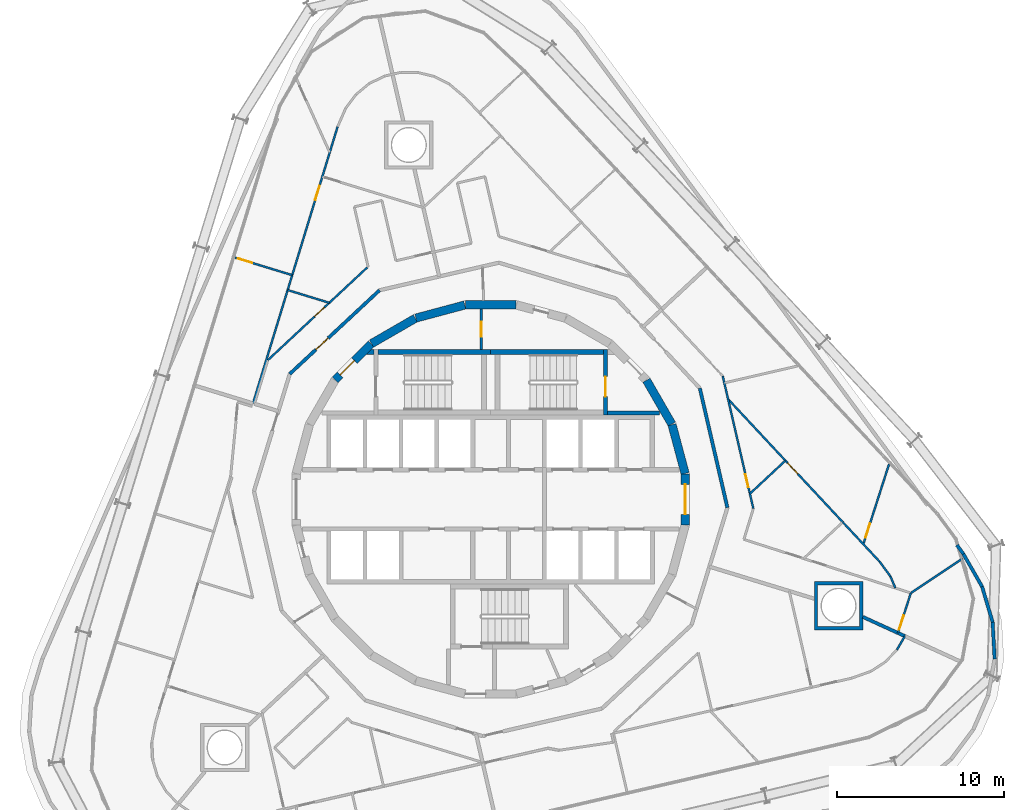
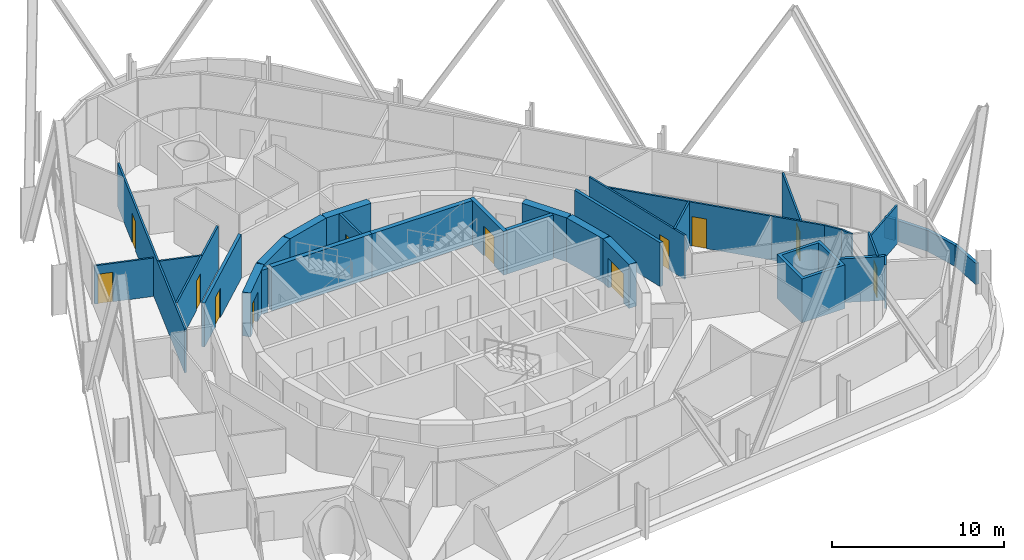
# One storey, part 15 of 18: 35 walls, 12 doors, 12 openings.
"""IFC4 building model written with IfcOpenShell, lengths in metres."""

from ifc_helpers import new_model, si_unit, direction, frame, frame_2d, origin, place, context, subcontext, project, spatial, polyline, rectangle, outline, extrude, material, layer, layer_set, type_object, element, fill, save


model = new_model("IFC4")

# Units and contexts
model_context = context("Model", 3, precision=1e-05, world=origin(), true_north=direction((0.0, 1.0)))
body_context = subcontext(model_context, "Body", "Model", "MODEL_VIEW")
ifc_project = project(units=[si_unit("LENGTHUNIT", "METRE"), si_unit("AREAUNIT", "SQUARE_METRE"), si_unit("VOLUMEUNIT", "CUBIC_METRE"), si_unit("PLANEANGLEUNIT", "RADIAN"), si_unit("MASSUNIT", "GRAM", prefix="KILO")], contexts=[model_context])

# Site, building, storey
site_placement = place(None, origin())
site = spatial("IfcSite", under=ifc_project, at=site_placement, CompositionType="ELEMENT")
building_placement = place(site_placement, origin())
building = spatial("IfcBuilding", under=site, at=building_placement, Name="Spindle Arch Residences", CompositionType="ELEMENT")
storey_placement = place(building_placement, frame((0.0, 0.0, 113.39990234375)))
storey = spatial("IfcBuildingStorey", under=building, at=storey_placement, Name="L27", CompositionType="ELEMENT", Elevation=113.39990234375)

# Wall, opening, door
ifc_material_1 = material(Name="Concrete C50/60", Category="concrete")
ifc_layer_1 = layer(ifc_material_1, 0.5)
ifc_layer_set_1 = layer_set([ifc_layer_1], Name="Core outline wall 500")
wall_type_1 = type_object("IfcWallType", Name="Core outline wall 500", PredefinedType="SHEAR", material=ifc_layer_set_1)
wall_1_placement = place(storey_placement, frame((11.647216796875, -1.516357421875, 0.0), z_axis=(0.0, 0.0, 1.0), x_axis=(0.0, 1.0, 0.0)))
wall_1 = element("IfcWall", 1, at=wall_1_placement, inside=storey, type_object=wall_type_1, Name="Core outline wall 6", PredefinedType="SHEAR", context=body_context, shape_type="SweptSolid", body=[
    extrude(rectangle(XDim=3.03271484375, YDim=0.5, at=frame_2d((1.516357421875, 0.0))), origin(), (0.0, 0.0, 1.0), 3.1201171875),
])
opening_1_placement = place(wall_1_placement, frame((0.6162109375, 0.0, 0.0)))
opening_1 = element("IfcOpeningElement", 2, at=opening_1_placement, cuts=wall_1, Name="Opening R3A0-FE01", PredefinedType="OPENING", context=body_context, shape_type="SweptSolid", body=[
    extrude(rectangle(XDim=1.800048828125, YDim=2.10009765625, at=frame_2d((0.89990234375, 1.050048828125))), frame((0.0, 0.260009765625, 0.0), z_axis=(0.0, -1.0, 0.0), x_axis=(1.0, 0.0, 0.0)), (0.0, 0.0, 1.0), 0.52001953125),
])
ifc_material_2 = material(Name="Steel, fire-resisting door", Category="steel")
door_type_1 = type_object("IfcDoorType", Name="Fire-lift lobby door 1800x2100", OperationType="DOUBLE_DOOR_SINGLE_SWING", PredefinedType="DOOR", material=ifc_material_2)
door_1_placement = place(opening_1_placement, origin())
door_1 = element("IfcDoor", 3, at=door_1_placement, inside=storey, type_object=door_type_1, Name="Fire-lift lobby door R3A0-FE01", OperationType="DOUBLE_DOOR_SINGLE_SWING", OverallHeight=2.10009765625, OverallWidth=1.800048828125, PredefinedType="DOOR", context=body_context, shape_type="SweptSolid", body=[
    extrude(rectangle(XDim=1.800048828125, YDim=2.10009765625, at=frame_2d((0.89990234375, 1.050048828125))), frame((0.0, 0.02490234375, 0.0), z_axis=(0.0, -1.0, 0.0), x_axis=(1.0, 0.0, 0.0)), (0.0, 0.0, 1.0), 0.050048828125),
])
fill(opening_1, door_1)

# Walls
for number, where, z_axis, x_axis, name in (
    (4, (11.642822265625, 1.5498046875, 0.0), (0.0, 0.0, 1.0), (-0.258734743916, 0.965948410781, 0.0), "Core outline wall 7"),
    (5, (10.84521484375, 4.510498046875, 0.0), (0.0, 0.0, 1.0), (-0.500087131594, 0.865975092491, 0.0), "Core outline wall 8"),
    (6, (1.516357421875, 11.647216796875, 0.0), (0.0, 0.0, 1.0), (-1.0, 0.0, 0.0), "Core outline wall 12"),
    (7, (-1.5498046875, 11.642822265625, 0.0), (0.0, 0.0, 1.0), (-0.965948410781, -0.258734743916, 0.0), "Core outline wall 13"),
    (8, (-4.510498046875, 10.84521484375, 0.0), (0.0, 0.0, 1.0), (-0.865975092491, -0.500087131594, 0.0), "Core outline wall 14"),
):
    element("IfcWall", number, at=place(storey_placement, frame(where, z_axis=z_axis, x_axis=x_axis)), inside=storey, type_object=wall_type_1, Name=name, PredefinedType="SHEAR", context=body_context, shape_type="SweptSolid", body=[
        extrude(rectangle(XDim=3.03271484375, YDim=0.5, at=frame_2d((1.516357421875, 0.0))), origin(), (0.0, 0.0, 1.0), 3.1201171875),
    ])

# Wall, opening, door
wall_2_placement = place(storey_placement, frame((-7.163818359375, 9.30810546875, 0.0), z_axis=(0.0, 0.0, 1.0), x_axis=(-0.707106781187, -0.707106781187, 0.0)))
wall_2 = element("IfcWall", 9, at=wall_2_placement, inside=storey, type_object=wall_type_1, Name="Core outline wall 15", PredefinedType="SHEAR", context=body_context, shape_type="SweptSolid", body=[
    extrude(rectangle(XDim=3.032470703125, YDim=0.5, at=frame_2d((1.51611328125, 0.0))), origin(), (0.0, 0.0, 1.0), 3.1201171875),
])
opening_2_placement = place(wall_2_placement, frame((1.416259765625, 0.0, 0.0)))
opening_2 = element("IfcOpeningElement", 10, at=opening_2_placement, cuts=wall_2, Name="Opening R3A0-AD02", PredefinedType="OPENING", context=body_context, shape_type="SweptSolid", body=[
    extrude(rectangle(XDim=1.199951171875, YDim=2.10009765625, at=frame_2d((0.60009765625, 1.050048828125))), frame((0.0, 0.260009765625, 0.0), z_axis=(0.0, -1.0, 0.0), x_axis=(1.0, 0.0, 0.0)), (0.0, 0.0, 1.0), 0.52001953125),
])
ifc_material_3 = material(Name="Steel, fire-resisting door", Category="steel")
door_type_2 = type_object("IfcDoorType", Name="Stair airlock door 1200x2100", OperationType="SINGLE_SWING_LEFT", PredefinedType="DOOR", material=ifc_material_3)
door_2_placement = place(opening_2_placement, origin())
door_2 = element("IfcDoor", 11, at=door_2_placement, inside=storey, type_object=door_type_2, Name="Stair airlock door R3A0-AD02", OperationType="SINGLE_SWING_RIGHT", OverallHeight=2.10009765625, OverallWidth=1.199951171875, PredefinedType="DOOR", context=body_context, shape_type="SweptSolid", body=[
    extrude(rectangle(XDim=1.199951171875, YDim=2.10009765625, at=frame_2d((0.60009765625, 1.050048828125))), frame((0.0, 0.02490234375, 0.0), z_axis=(0.0, -1.0, 0.0), x_axis=(1.0, 0.0, 0.0)), (0.0, 0.0, 1.0), 0.050048828125),
])
fill(opening_2, door_2)

# Wall
ifc_material_4 = material(Name="Calcium silicate block, plastered")
ifc_layer_2 = layer(ifc_material_4, 0.199951171875)
ifc_layer_set_2 = layer_set([ifc_layer_2], Name="Corridor wall 200")
wall_type_2 = type_object("IfcWallType", Name="Corridor wall 200", PredefinedType="STANDARD", material=ifc_layer_set_2)
wall_3_placement = place(storey_placement, frame((14.174560546875, -0.4951171875, 0.0), z_axis=(0.0, 0.0, 1.0), x_axis=(-0.224922649383, 0.974376622151, 0.0)))
element("IfcWall", 12, at=wall_3_placement, inside=storey, type_object=wall_type_2, Name="Corridor wall R3A0-W005", PredefinedType="STANDARD", context=body_context, shape_type="SweptSolid", body=[
    extrude(rectangle(XDim=7.342041015625, YDim=0.199951171875, at=frame_2d((3.6708984375, 0.0))), origin(), (0.0, 0.0, 1.0), 3.1201171875),
])

# Wall, opening, door
wall_4_placement = place(storey_placement, frame((-6.65869140625, 12.523193359375, 0.0), z_axis=(0.0, 0.0, 1.0), x_axis=(-0.731350455479, -0.682001841105, 0.0)))
wall_4 = element("IfcWall", 13, at=wall_4_placement, inside=storey, type_object=wall_type_2, Name="Corridor wall R3A0-W009", PredefinedType="STANDARD", context=body_context, shape_type="SweptSolid", body=[
    extrude(rectangle(XDim=7.341796875, YDim=0.199951171875, at=frame_2d((3.6708984375, 0.0))), origin(), (0.0, 0.0, 1.0), 3.1201171875),
])
opening_3_placement = place(wall_4_placement, frame((4.199951171875, 0.0, 0.0)))
opening_3 = element("IfcOpeningElement", 14, at=opening_3_placement, cuts=wall_4, Name="Opening R3A0-FD03", PredefinedType="OPENING", context=body_context, shape_type="SweptSolid", body=[
    extrude(rectangle(XDim=1.0, YDim=2.10009765625, at=frame_2d((0.5, 1.050048828125))), frame((0.0, 0.10986328125, 0.0), z_axis=(0.0, -1.0, 0.0), x_axis=(1.0, 0.0, 0.0)), (0.0, 0.0, 1.0), 0.219970703125),
])
ifc_material_5 = material(Name="Timber, fire-resisting door set", Category="wood")
door_type_3 = type_object("IfcDoorType", Name="Flat entrance door 1000x2100", OperationType="NOTDEFINED", PredefinedType="DOOR", material=ifc_material_5)
door_3_placement = place(opening_3_placement, origin())
door_3 = element("IfcDoor", 15, at=door_3_placement, inside=storey, type_object=door_type_3, Name="Flat entrance door R3A0-FD03", OperationType="SINGLE_SWING_LEFT", OverallHeight=2.10009765625, OverallWidth=1.0, PredefinedType="DOOR", context=body_context, shape_type="SweptSolid", body=[
    extrude(rectangle(XDim=1.0, YDim=2.10009765625, at=frame_2d((0.5, 1.050048828125))), frame((0.0, 0.02490234375, 0.0), z_axis=(0.0, -1.0, 0.0), x_axis=(1.0, 0.0, 0.0)), (0.0, 0.0, 1.0), 0.050048828125),
])
fill(opening_3, door_3)

ifc_material_6 = material(Name="Plasterboard on steel studs", Category="steel")
ifc_layer_3 = layer(ifc_material_6, 0.1201171875)
ifc_layer_set_3 = layer_set([ifc_layer_3], Name="Flat partition 120")
wall_type_3 = type_object("IfcWallType", Name="Flat partition 120", PredefinedType="PARTITIONING", material=ifc_layer_set_3)
wall_5_placement = place(storey_placement, frame((15.7265625, -0.54931640625, 0.0), z_axis=(0.0, 0.0, 1.0), x_axis=(-0.22493611855, 0.974373512864, 0.0)))
wall_5 = element("IfcWall", 16, at=wall_5_placement, inside=storey, type_object=wall_type_3, Name="Flat partition R3A0-W030", PredefinedType="PARTITIONING", context=body_context, shape_type="SweptSolid", body=[
    extrude(rectangle(XDim=8.145751953125, YDim=0.1201171875, at=frame_2d((4.07275390625, 0.0))), origin(), (0.0, 0.0, 1.0), 3.1201171875),
])
opening_4_placement = place(wall_5_placement, frame((1.313720703125, 0.0, 0.0)))
opening_4 = element("IfcOpeningElement", 17, at=opening_4_placement, cuts=wall_5, Name="Opening R3A0-BD01", PredefinedType="OPENING", context=body_context, shape_type="SweptSolid", body=[
    extrude(rectangle(XDim=0.800048828125, YDim=2.10009765625, at=frame_2d((0.39990234375, 1.050048828125))), frame((0.0, 0.070068359375, 0.0), z_axis=(0.0, -1.0, 0.0), x_axis=(1.0, 0.0, 0.0)), (0.0, 0.0, 1.0), 0.14013671875),
])
ifc_material_7 = material(Name="Timber door set", Category="wood")
door_type_4 = type_object("IfcDoorType", Name="Bathroom door 800x2100", OperationType="NOTDEFINED", PredefinedType="DOOR", material=ifc_material_7)
door_4_placement = place(opening_4_placement, origin())
door_4 = element("IfcDoor", 18, at=door_4_placement, inside=storey, type_object=door_type_4, Name="Bathroom door R3A0-BD01", OperationType="SINGLE_SWING_LEFT", OverallHeight=2.10009765625, OverallWidth=0.800048828125, PredefinedType="DOOR", context=body_context, shape_type="SweptSolid", body=[
    extrude(rectangle(XDim=0.800048828125, YDim=2.10009765625, at=frame_2d((0.39990234375, 1.050048828125))), frame((0.0, 0.02490234375, 0.0), z_axis=(0.0, -1.0, 0.0), x_axis=(1.0, 0.0, 0.0)), (0.0, 0.0, 1.0), 0.050048828125),
])
fill(opening_4, door_4)

wall_6_placement = place(storey_placement, frame((24.388916015625, -7.997314453125, 0.0), z_axis=(0.0, 0.0, 1.0), x_axis=(0.305723184389, 0.952120441188, 0.0)))
wall_6 = element("IfcWall", 19, at=wall_6_placement, inside=storey, type_object=wall_type_3, Name="Flat partition R3A0-W032", PredefinedType="PARTITIONING", context=body_context, shape_type="SweptSolid", body=[
    extrude(rectangle(XDim=2.5146484375, YDim=0.1201171875, at=frame_2d((1.25732421875, 0.0))), origin(), (0.0, 0.0, 1.0), 3.1201171875),
])
opening_5_placement = place(wall_6_placement, frame((0.199951171875, 0.0, 0.0)))
opening_5 = element("IfcOpeningElement", 20, at=opening_5_placement, cuts=wall_6, Name="Opening R3A0-ID02", PredefinedType="OPENING", context=body_context, shape_type="SweptSolid", body=[
    extrude(rectangle(XDim=0.89990234375, YDim=2.10009765625, at=frame_2d((0.449951171875, 1.050048828125))), frame((0.0, 0.070068359375, 0.0), z_axis=(0.0, -1.0, 0.0), x_axis=(1.0, 0.0, 0.0)), (0.0, 0.0, 1.0), 0.14013671875),
])
ifc_material_8 = material(Name="Timber door set", Category="wood")
door_type_5 = type_object("IfcDoorType", Name="Room door 900x2100", OperationType="NOTDEFINED", PredefinedType="DOOR", material=ifc_material_8)
door_5_placement = place(opening_5_placement, origin())
door_5 = element("IfcDoor", 21, at=door_5_placement, inside=storey, type_object=door_type_5, Name="Room door R3A0-ID02", OperationType="SINGLE_SWING_LEFT", OverallHeight=2.10009765625, OverallWidth=0.89990234375, PredefinedType="DOOR", context=body_context, shape_type="SweptSolid", body=[
    extrude(rectangle(XDim=0.89990234375, YDim=2.10009765625, at=frame_2d((0.449951171875, 1.050048828125))), frame((0.0, 0.02490234375, 0.0), z_axis=(0.0, -1.0, 0.0), x_axis=(1.0, 0.0, 0.0)), (0.0, 0.0, 1.0), 0.050048828125),
])
fill(opening_5, door_5)

wall_7_placement = place(storey_placement, frame((14.21337890625, 6.005859375, 0.0), z_axis=(0.0, 0.0, 1.0), x_axis=(0.681982148724, -0.731368818601, 0.0)))
wall_7 = element("IfcWall", 22, at=wall_7_placement, inside=storey, type_object=wall_type_3, Name="Flat partition R3A0-W035", PredefinedType="PARTITIONING", context=body_context, shape_type="SweptSolid", body=[
    extrude(rectangle(XDim=10.06982421875, YDim=0.1201171875, at=frame_2d((5.034912109375, 0.0))), origin(), (0.0, 0.0, 1.0), 3.1201171875),
])
opening_6_placement = place(wall_7_placement, frame((5.235107421875, 0.0, 0.0)))
opening_6 = element("IfcOpeningElement", 23, at=opening_6_placement, cuts=wall_7, Name="Opening R3A0-ID04", PredefinedType="OPENING", context=body_context, shape_type="SweptSolid", body=[
    extrude(rectangle(XDim=0.89990234375, YDim=2.10009765625, at=frame_2d((0.449951171875, 1.050048828125))), frame((0.0, 0.070068359375, 0.0), z_axis=(0.0, -1.0, 0.0), x_axis=(1.0, 0.0, 0.0)), (0.0, 0.0, 1.0), 0.14013671875),
])
door_6_placement = place(opening_6_placement, origin())
door_6 = element("IfcDoor", 24, at=door_6_placement, inside=storey, type_object=door_type_5, Name="Room door R3A0-ID04", OperationType="SINGLE_SWING_LEFT", OverallHeight=2.10009765625, OverallWidth=0.89990234375, PredefinedType="DOOR", context=body_context, shape_type="SweptSolid", body=[
    extrude(rectangle(XDim=0.89990234375, YDim=2.10009765625, at=frame_2d((0.449951171875, 1.050048828125))), frame((0.0, 0.02490234375, 0.0), z_axis=(0.0, -1.0, 0.0), x_axis=(1.0, 0.0, 0.0)), (0.0, 0.0, 1.0), 0.050048828125),
])
fill(opening_6, door_6)

# Wall
wall_8_placement = place(storey_placement, frame((21.080810546875, -1.35888671875, 0.0), z_axis=(0.0, 0.0, 1.0), x_axis=(0.682046729342, -0.731308593545, 0.0)))
element("IfcWall", 25, at=wall_8_placement, inside=storey, type_object=wall_type_3, Name="Flat partition R3A0-W037", PredefinedType="PARTITIONING", context=body_context, shape_type="SweptSolid", body=[
    extrude(rectangle(XDim=3.236328125, YDim=0.1201171875, at=frame_2d((1.6181640625, 0.0))), origin(), (0.0, 0.0, 1.0), 3.1201171875),
])

# Wall, opening, door
wall_9_placement = place(storey_placement, frame((22.314453125, -2.681396484375, 0.0), z_axis=(0.0, 0.0, 1.0), x_axis=(0.305629733216, 0.952150443036, 0.0)))
wall_9 = element("IfcWall", 26, at=wall_9_placement, inside=storey, type_object=wall_type_3, Name="Flat partition R3A0-W038", PredefinedType="PARTITIONING", context=body_context, shape_type="SweptSolid", body=[
    extrude(rectangle(XDim=5.04052734375, YDim=0.1201171875, at=frame_2d((2.520263671875, 0.0))), origin(), (0.0, 0.0, 1.0), 3.1201171875),
])
opening_7_placement = place(wall_9_placement, frame((0.39990234375, 0.0, 0.0)))
opening_7 = element("IfcOpeningElement", 27, at=opening_7_placement, cuts=wall_9, Name="Opening R3A0-ID05", PredefinedType="OPENING", context=body_context, shape_type="SweptSolid", body=[
    extrude(rectangle(XDim=0.89990234375, YDim=2.10009765625, at=frame_2d((0.449951171875, 1.050048828125))), frame((0.0, 0.070068359375, 0.0), z_axis=(0.0, -1.0, 0.0), x_axis=(1.0, 0.0, 0.0)), (0.0, 0.0, 1.0), 0.14013671875),
])
door_7_placement = place(opening_7_placement, origin())
door_7 = element("IfcDoor", 28, at=door_7_placement, inside=storey, type_object=door_type_5, Name="Room door R3A0-ID05", OperationType="SINGLE_SWING_LEFT", OverallHeight=2.10009765625, OverallWidth=0.89990234375, PredefinedType="DOOR", context=body_context, shape_type="SweptSolid", body=[
    extrude(rectangle(XDim=0.89990234375, YDim=2.10009765625, at=frame_2d((0.449951171875, 1.050048828125))), frame((0.0, 0.02490234375, 0.0), z_axis=(0.0, -1.0, 0.0), x_axis=(1.0, 0.0, 0.0)), (0.0, 0.0, 1.0), 0.050048828125),
])
fill(opening_7, door_7)

# Walls
wall_10_placement = place(storey_placement, frame((15.52099609375, 0.341064453125, 0.0), z_axis=(0.0, 0.0, 1.0), x_axis=(0.73140706136, 0.681941134257, 0.0)))
element("IfcWall", 29, at=wall_10_placement, inside=storey, type_object=wall_type_3, Name="Flat partition R3A0-W039", PredefinedType="PARTITIONING", context=body_context, shape_type="SweptSolid", body=[
    extrude(rectangle(XDim=2.906982421875, YDim=0.1201171875, at=frame_2d((1.45361328125, 0.0))), origin(), (0.0, 0.0, 1.0), 3.1201171875),
])
wall_11_placement = place(storey_placement, frame((24.231201171875, -5.3056640625, 0.0), z_axis=(0.0, 0.0, 1.0), x_axis=(-0.390836600732, 0.92046007601, 0.0)))
element("IfcWall", 30, at=wall_11_placement, inside=storey, type_object=wall_type_3, Name="Flat partition R3A0-W041", PredefinedType="PARTITIONING", context=body_context, shape_type="SweptSolid", body=[
    extrude(rectangle(XDim=0.76513671875, YDim=0.1201171875, at=frame_2d((0.382568359375, 0.0))), origin(), (0.0, 0.0, 1.0), 3.1201171875),
])
wall_12_placement = place(storey_placement, frame((23.93212890625, -4.601318359375, 0.0), z_axis=(0.0, 0.0, 1.0), x_axis=(-0.592463335142, 0.805597415904, 0.0)))
element("IfcWall", 31, at=wall_12_placement, inside=storey, type_object=wall_type_3, Name="Flat partition R3A0-W042", PredefinedType="PARTITIONING", context=body_context, shape_type="SweptSolid", body=[
    extrude(rectangle(XDim=1.087158203125, YDim=0.1201171875, at=frame_2d((0.54345703125, 0.0))), origin(), (0.0, 0.0, 1.0), 3.1201171875),
])

# Wall, opening, door
wall_13_placement = place(storey_placement, frame((-7.3876953125, 13.894287109375, 0.0), z_axis=(0.0, 0.0, 1.0), x_axis=(-0.731357186721, -0.681994622729, 0.0)))
wall_13 = element("IfcWall", 32, at=wall_13_placement, inside=storey, type_object=wall_type_3, Name="Flat partition R3A0-W062", PredefinedType="PARTITIONING", context=body_context, shape_type="SweptSolid", body=[
    extrude(rectangle(XDim=8.145751953125, YDim=0.1201171875, at=frame_2d((4.07275390625, 0.0))), origin(), (0.0, 0.0, 1.0), 3.1201171875),
])
opening_8_placement = place(wall_13_placement, frame((3.509033203125, 0.0, 0.0)))
opening_8 = element("IfcOpeningElement", 33, at=opening_8_placement, cuts=wall_13, Name="Opening R3A0-BD04", PredefinedType="OPENING", context=body_context, shape_type="SweptSolid", body=[
    extrude(rectangle(XDim=0.800048828125, YDim=2.10009765625, at=frame_2d((0.39990234375, 1.050048828125))), frame((0.0, 0.070068359375, 0.0), z_axis=(0.0, -1.0, 0.0), x_axis=(1.0, 0.0, 0.0)), (0.0, 0.0, 1.0), 0.14013671875),
])
door_8_placement = place(opening_8_placement, origin())
door_8 = element("IfcDoor", 34, at=door_8_placement, inside=storey, type_object=door_type_4, Name="Bathroom door R3A0-BD04", OperationType="SINGLE_SWING_LEFT", OverallHeight=2.10009765625, OverallWidth=0.800048828125, PredefinedType="DOOR", context=body_context, shape_type="SweptSolid", body=[
    extrude(rectangle(XDim=0.800048828125, YDim=2.10009765625, at=frame_2d((0.39990234375, 1.050048828125))), frame((0.0, 0.02490234375, 0.0), z_axis=(0.0, -1.0, 0.0), x_axis=(1.0, 0.0, 0.0)), (0.0, 0.0, 1.0), 0.050048828125),
])
fill(opening_8, door_8)

wall_14_placement = place(storey_placement, frame((-9.1689453125, 22.3095703125, 0.0), z_axis=(0.0, 0.0, 1.0), x_axis=(-0.29236145486, -0.956307889601, 0.0)))
wall_14 = element("IfcWall", 35, at=wall_14_placement, inside=storey, type_object=wall_type_3, Name="Flat partition R3A0-W068", PredefinedType="PARTITIONING", context=body_context, shape_type="SweptSolid", body=[
    extrude(rectangle(XDim=17.31591796875, YDim=0.1201171875, at=frame_2d((8.657958984375, 0.0))), origin(), (0.0, 0.0, 1.0), 3.1201171875),
])
opening_9_placement = place(wall_14_placement, frame((3.68310546875, 0.0, 0.0)))
opening_9 = element("IfcOpeningElement", 36, at=opening_9_placement, cuts=wall_14, Name="Opening R3A0-ID14", PredefinedType="OPENING", context=body_context, shape_type="SweptSolid", body=[
    extrude(rectangle(XDim=0.89990234375, YDim=2.10009765625, at=frame_2d((0.449951171875, 1.050048828125))), frame((0.0, 0.070068359375, 0.0), z_axis=(0.0, -1.0, 0.0), x_axis=(1.0, 0.0, 0.0)), (0.0, 0.0, 1.0), 0.14013671875),
])
door_9_placement = place(opening_9_placement, origin())
door_9 = element("IfcDoor", 37, at=door_9_placement, inside=storey, type_object=door_type_5, Name="Room door R3A0-ID14", OperationType="SINGLE_SWING_LEFT", OverallHeight=2.10009765625, OverallWidth=0.89990234375, PredefinedType="DOOR", context=body_context, shape_type="SweptSolid", body=[
    extrude(rectangle(XDim=0.89990234375, YDim=2.10009765625, at=frame_2d((0.449951171875, 1.050048828125))), frame((0.0, 0.02490234375, 0.0), z_axis=(0.0, -1.0, 0.0), x_axis=(1.0, 0.0, 0.0)), (0.0, 0.0, 1.0), 0.050048828125),
])
fill(opening_9, door_9)

# Walls
wall_15_placement = place(storey_placement, frame((-12.15673828125, 12.53662109375, 0.0), z_axis=(0.0, 0.0, 1.0), x_axis=(0.956293441844, -0.292408708979, 0.0)))
element("IfcWall", 38, at=wall_15_placement, inside=storey, type_object=wall_type_3, Name="Flat partition R3A0-W071", PredefinedType="PARTITIONING", context=body_context, shape_type="SweptSolid", body=[
    extrude(rectangle(XDim=2.609130859375, YDim=0.1201171875, at=frame_2d((1.3046875, 0.0))), origin(), (0.0, 0.0, 1.0), 3.1201171875),
])
wall_16_placement = place(storey_placement, frame((24.8017578125, -8.18603515625, 0.0), z_axis=(0.0, 0.0, 1.0), x_axis=(-0.505043103481, -0.863094122113, 0.0)))
element("IfcWall", 39, at=wall_16_placement, inside=storey, type_object=wall_type_3, Name="Flat partition R3A0-W112", PredefinedType="PARTITIONING", context=body_context, shape_type="SweptSolid", body=[
    extrude(rectangle(XDim=0.945068359375, YDim=0.1201171875, at=frame_2d((0.47265625, 0.0))), origin(), (0.0, 0.0, 1.0), 3.1201171875),
])
ifc_material_9 = material(Name="Plasterboard on steel studs", Category="steel")
ifc_layer_4 = layer(ifc_material_9, 0.1201171875)
ifc_layer_set_4 = layer_set([ifc_layer_4], Name="Flat partition 120 under beam 2730")
wall_type_4 = type_object("IfcWallType", Name="Flat partition 120 under beam 2730", PredefinedType="PARTITIONING", material=ifc_layer_set_4)
wall_17_placement = place(storey_placement, frame((28.25927734375, -3.53466796875, 0.0), z_axis=(0.0, 0.0, 1.0), x_axis=(-0.831969683957, -0.554821092765, 0.0)))
element("IfcWall", 40, at=wall_17_placement, inside=storey, type_object=wall_type_4, Name="Flat partition R3A0-W040", PredefinedType="PARTITIONING", context=body_context, shape_type="SweptSolid", body=[
    extrude(rectangle(XDim=3.72802734375, YDim=0.1201171875, at=frame_2d((1.864013671875, 0.0))), origin(), (0.0, 0.0, 1.0), 2.72998046875),
])

# Wall, opening, door
wall_18_placement = place(storey_placement, frame((-15.32666015625, 14.481201171875, 0.0), z_axis=(0.0, 0.0, 1.0), x_axis=(0.956306810244, -0.292364985388, 0.0)))
wall_18 = element("IfcWall", 41, at=wall_18_placement, inside=storey, type_object=wall_type_4, Name="Flat partition R3A0-W072", PredefinedType="PARTITIONING", context=body_context, shape_type="SweptSolid", body=[
    extrude(rectangle(XDim=3.599853515625, YDim=0.1201171875, at=frame_2d((1.7998046875, 0.0))), origin(), (0.0, 0.0, 1.0), 2.72998046875),
])
opening_10_placement = place(wall_18_placement, frame((0.199951171875, 0.0, 0.0)))
opening_10 = element("IfcOpeningElement", 42, at=opening_10_placement, cuts=wall_18, Name="Opening R3A0-ID16", PredefinedType="OPENING", context=body_context, shape_type="SweptSolid", body=[
    extrude(rectangle(XDim=0.89990234375, YDim=2.10009765625, at=frame_2d((0.449951171875, 1.050048828125))), frame((0.0, 0.070068359375, 0.0), z_axis=(0.0, -1.0, 0.0), x_axis=(1.0, 0.0, 0.0)), (0.0, 0.0, 1.0), 0.14013671875),
])
door_10_placement = place(opening_10_placement, origin())
door_10 = element("IfcDoor", 43, at=door_10_placement, inside=storey, type_object=door_type_5, Name="Room door R3A0-ID16", OperationType="SINGLE_SWING_RIGHT", OverallHeight=2.10009765625, OverallWidth=0.89990234375, PredefinedType="DOOR", context=body_context, shape_type="SweptSolid", body=[
    extrude(rectangle(XDim=0.89990234375, YDim=2.10009765625, at=frame_2d((0.449951171875, 1.050048828125))), frame((0.0, 0.02490234375, 0.0), z_axis=(0.0, -1.0, 0.0), x_axis=(1.0, 0.0, 0.0)), (0.0, 0.0, 1.0), 0.050048828125),
])
fill(opening_10, door_10)

# Walls
ifc_material_10 = material(Name="Calcium silicate block, plastered")
ifc_layer_5 = layer(ifc_material_10, 0.199951171875)
ifc_layer_set_5 = layer_set([ifc_layer_5], Name="Flat party wall 200")
wall_type_5 = type_object("IfcWallType", Name="Flat party wall 200", PredefinedType="STANDARD", material=ifc_layer_set_5)
wall_19_placement = place(storey_placement, frame((22.280029296875, -7.033203125, 0.0), z_axis=(0.0, 0.0, 1.0), x_axis=(0.909468768003, -0.415772245378, 0.0)))
element("IfcWall", 44, at=wall_19_placement, inside=storey, type_object=wall_type_5, Name="Flat party wall R3A0-W018", PredefinedType="STANDARD", context=body_context, shape_type="SweptSolid", body=[
    extrude(rectangle(XDim=2.772705078125, YDim=0.199951171875, at=frame_2d((1.38623046875, 0.0))), origin(), (0.0, 0.0, 1.0), 3.1201171875),
])
ifc_material_11 = material(Name="Calcium silicate block, plastered")
ifc_layer_6 = layer(ifc_material_11, 0.199951171875)
ifc_layer_set_6 = layer_set([ifc_layer_6], Name="Mega-column casing wall 200")
wall_type_6 = type_object("IfcWallType", Name="Mega-column casing wall 200", PredefinedType="STANDARD", material=ifc_layer_set_6)
wall_20_placement = place(storey_placement, origin())
element("IfcWall", 45, at=wall_20_placement, inside=storey, type_object=wall_type_6, Name="Mega-column casing wall R3A0-WC03", PredefinedType="STANDARD", context=body_context, shape_type="SweptSolid", body=[
    extrude(outline(polyline([(22.280029296875, -4.91845703125), (22.280029296875, -7.818359375), (19.3798828125, -7.818359375), (19.3798828125, -4.91845703125), (22.280029296875, -4.91845703125)]), holes=[polyline([(19.580078125, -7.618408203125), (22.080078125, -7.618408203125), (22.080078125, -5.118408203125), (19.580078125, -5.118408203125), (19.580078125, -7.618408203125)])]), origin(), (0.0, 0.0, 1.0), 3.1201171875),
])
ifc_material_12 = material(Name="Concrete C40/50", Category="concrete")
ifc_layer_7 = layer(ifc_material_12, 0.199951171875)
ifc_layer_set_7 = layer_set([ifc_layer_7], Name="Roof parapet 1500")
wall_type_7 = type_object("IfcWallType", Name="Roof parapet 1500", PredefinedType="PARAPET", material=ifc_layer_set_7)
wall_21_placement = place(storey_placement, frame((27.919189453125, -2.73291015625, 0.030029296875), z_axis=(0.0, 0.0, 1.0), x_axis=(0.582660338485, -0.812715774399, 0.0)))
element("IfcWall", 46, at=wall_21_placement, inside=storey, type_object=wall_type_7, Name="Roof parapet L26 4.1", PredefinedType="PARAPET", context=body_context, shape_type="SweptSolid", body=[
    extrude(rectangle(XDim=0.665283203125, YDim=0.199951171875, at=frame_2d((0.33251953125, 0.0))), origin(), (0.0, 0.0, 1.0), 1.5),
])
wall_22_placement = place(storey_placement, frame((28.30419921875, -3.269287109375, 0.030029296875), z_axis=(0.0, 0.0, 1.0), x_axis=(0.497454663172, -0.867489975786, 0.0)))
element("IfcWall", 47, at=wall_22_placement, inside=storey, type_object=wall_type_7, Name="Roof parapet L26 4.2", PredefinedType="PARAPET", context=body_context, shape_type="SweptSolid", body=[
    extrude(rectangle(XDim=2.257080078125, YDim=0.199951171875, at=frame_2d((1.12841796875, 0.0))), origin(), (0.0, 0.0, 1.0), 1.5),
])
for number, where, z_axis, x_axis, name in (
    (48, (29.422607421875, -5.216796875, 0.030029296875), (0.0, 0.0, 1.0), (0.284028634178, -0.958815798247, 0.0), "Roof parapet L26 4.3"),
    (49, (30.05322265625, -7.341796875, 0.030029296875), (0.0, 0.0, 1.0), (0.055336503481, -0.998467761814, 0.0), "Roof parapet L26 4.4"),
):
    element("IfcWall", number, at=place(storey_placement, frame(where, z_axis=z_axis, x_axis=x_axis)), inside=storey, type_object=wall_type_7, Name=name, PredefinedType="PARAPET", context=body_context, shape_type="SweptSolid", body=[
        extrude(rectangle(XDim=2.22802734375, YDim=0.199951171875, at=frame_2d((1.114013671875, 0.0))), origin(), (0.0, 0.0, 1.0), 1.5),
    ])

# Wall, opening, door
ifc_material_13 = material(Name="Concrete C25/30", Category="concrete")
ifc_layer_8 = layer(ifc_material_13, 0.14990234375)
ifc_layer_set_8 = layer_set([ifc_layer_8], Name="Service room partition 150")
wall_type_8 = type_object("IfcWallType", Name="Service room partition 150", PredefinedType="PARTITIONING", material=ifc_layer_set_8)
wall_23_placement = place(storey_placement, frame((-0.5615234375, 8.969970703125, 0.0), z_axis=(0.0, 0.0, 1.0), x_axis=(0.0, 1.0, 0.0)))
wall_23 = element("IfcWall", 50, at=wall_23_placement, inside=storey, type_object=wall_type_8, Name="Core service room partition", PredefinedType="PARTITIONING", context=body_context, shape_type="SweptSolid", body=[
    extrude(rectangle(XDim=2.42724609375, YDim=0.14990234375, at=frame_2d((1.213623046875, 0.0))), origin(), (0.0, 0.0, 1.0), 3.1201171875),
])
opening_11_placement = place(wall_23_placement, frame((0.763671875, 0.0, 0.0)))
opening_11 = element("IfcOpeningElement", 51, at=opening_11_placement, cuts=wall_23, Name="Opening R3A0-WD07", PredefinedType="OPENING", context=body_context, shape_type="SweptSolid", body=[
    extrude(rectangle(XDim=0.89990234375, YDim=2.10009765625, at=frame_2d((0.449951171875, 1.050048828125))), frame((0.0, 0.0849609375, 0.0), z_axis=(0.0, -1.0, 0.0), x_axis=(1.0, 0.0, 0.0)), (0.0, 0.0, 1.0), 0.169921875),
])
ifc_material_14 = material(Name="Steel, fire-resisting door", Category="steel")
door_type_6 = type_object("IfcDoorType", Name="Service room door 900x2100", OperationType="SINGLE_SWING_LEFT", PredefinedType="DOOR", material=ifc_material_14)
door_11_placement = place(opening_11_placement, origin())
door_11 = element("IfcDoor", 52, at=door_11_placement, inside=storey, type_object=door_type_6, Name="Service room door R3A0-WD07", OperationType="SINGLE_SWING_RIGHT", OverallHeight=2.10009765625, OverallWidth=0.89990234375, PredefinedType="DOOR", context=body_context, shape_type="SweptSolid", body=[
    extrude(rectangle(XDim=0.89990234375, YDim=2.10009765625, at=frame_2d((0.449951171875, 1.050048828125))), frame((0.0, 0.02490234375, 0.0), z_axis=(0.0, -1.0, 0.0), x_axis=(1.0, 0.0, 0.0)), (0.0, 0.0, 1.0), 0.050048828125),
])
fill(opening_11, door_11)

# Walls
ifc_material_15 = material(Name="Concrete C40/50", Category="concrete")
ifc_layer_9 = layer(ifc_material_15, 0.25)
ifc_layer_set_9 = layer_set([ifc_layer_9], Name="Stair airlock wall 250")
wall_type_9 = type_object("IfcWallType", Name="Stair airlock wall 250", PredefinedType="SHEAR", material=ifc_layer_set_9)
wall_24_placement = place(storey_placement, frame((7.0, 5.175048828125, 0.0), z_axis=(0.0, 0.0, 1.0), x_axis=(1.0, 0.0, 0.0)))
element("IfcWall", 53, at=wall_24_placement, inside=storey, type_object=wall_type_9, Name="Stair ST-1 airlock wall S", PredefinedType="SHEAR", context=body_context, shape_type="SweptSolid", body=[
    extrude(rectangle(XDim=3.10009765625, YDim=0.25, at=frame_2d((1.550048828125, 0.0))), origin(), (0.0, 0.0, 1.0), 3.1201171875),
])
ifc_material_16 = material(Name="Concrete C40/50", Category="concrete")
wall_type_10 = type_object("IfcWallType", Name="Stair airlock wall profile", PredefinedType="SHEAR", material=ifc_material_16)
wall_25_placement = place(storey_placement, origin())
element("IfcWall", 54, at=wall_25_placement, inside=storey, type_object=wall_type_10, Name="Stair ST-2 airlock wall N", PredefinedType="SHEAR", context=body_context, shape_type="SweptSolid", body=[
    extrude(outline(polyline([(-7.148193359375, 8.969970703125), (-7.0, 8.969970703125), (-7.0, 8.669921875), (-7.4482421875, 8.669921875), (-7.148193359375, 8.969970703125)])), origin(), (0.0, 0.0, 1.0), 3.1201171875),
])

# Wall, opening, door
ifc_material_17 = material(Name="Concrete C50/60", Category="concrete")
ifc_layer_10 = layer(ifc_material_17, 0.25)
ifc_layer_set_10 = layer_set([ifc_layer_10], Name="Stair enclosure wall 250")
wall_type_11 = type_object("IfcWallType", Name="Stair enclosure wall 250", PredefinedType="SHEAR", material=ifc_layer_set_10)
wall_26_placement = place(storey_placement, frame((6.875, 5.050048828125, 0.0), z_axis=(0.0, 0.0, 1.0), x_axis=(0.0, 1.0, 0.0)))
wall_26 = element("IfcWall", 55, at=wall_26_placement, inside=storey, type_object=wall_type_11, Name="Stair ST-1 door wall", PredefinedType="SHEAR", context=body_context, shape_type="SweptSolid", body=[
    extrude(rectangle(XDim=3.919921875, YDim=0.25, at=frame_2d((1.9599609375, 0.0))), origin(), (0.0, 0.0, 1.0), 3.1201171875),
])
opening_12_placement = place(wall_26_placement, frame((1.110107421875, 0.0, 0.0)))
opening_12 = element("IfcOpeningElement", 56, at=opening_12_placement, cuts=wall_26, Name="Opening R3A0-SD01", PredefinedType="OPENING", context=body_context, shape_type="SweptSolid", body=[
    extrude(rectangle(XDim=1.199951171875, YDim=2.10009765625, at=frame_2d((0.60009765625, 1.050048828125))), frame((0.0, 0.135009765625, 0.0), z_axis=(0.0, -1.0, 0.0), x_axis=(1.0, 0.0, 0.0)), (0.0, 0.0, 1.0), 0.27001953125),
])
ifc_material_18 = material(Name="Steel, fire-resisting door", Category="steel")
door_type_7 = type_object("IfcDoorType", Name="Stair door 1200x2100", OperationType="SINGLE_SWING_RIGHT", PredefinedType="DOOR", material=ifc_material_18)
door_12_placement = place(opening_12_placement, origin())
door_12 = element("IfcDoor", 57, at=door_12_placement, inside=storey, type_object=door_type_7, Name="Stair door R3A0-SD01", OperationType="SINGLE_SWING_LEFT", OverallHeight=2.10009765625, OverallWidth=1.199951171875, PredefinedType="DOOR", context=body_context, shape_type="SweptSolid", body=[
    extrude(rectangle(XDim=1.199951171875, YDim=2.10009765625, at=frame_2d((0.60009765625, 1.050048828125))), frame((0.0, 0.02490234375, 0.0), z_axis=(0.0, -1.0, 0.0), x_axis=(1.0, 0.0, 0.0)), (0.0, 0.0, 1.0), 0.050048828125),
])
fill(opening_12, door_12)

# Walls
ifc_material_19 = material(Name="Concrete C50/60", Category="concrete")
ifc_layer_11 = layer(ifc_material_19, 0.300048828125)
ifc_layer_set_11 = layer_set([ifc_layer_11], Name="Stair enclosure wall 300")
wall_type_12 = type_object("IfcWallType", Name="Stair enclosure wall 300", PredefinedType="SHEAR", material=ifc_layer_set_11)
for number, where, z_axis, x_axis, name in (
    (58, (0.0, 8.820068359375, 0.0), (0.0, 0.0, 1.0), (1.0, 0.0, 0.0), "Stair ST-1 enclosure wall N"),
    (59, (-6.75, 8.820068359375, 0.0), (0.0, 0.0, 1.0), (1.0, 0.0, 0.0), "Stair ST-2 enclosure wall N"),
):
    element("IfcWall", number, at=place(storey_placement, frame(where, z_axis=z_axis, x_axis=x_axis)), inside=storey, type_object=wall_type_12, Name=name, PredefinedType="SHEAR", context=body_context, shape_type="SweptSolid", body=[
        extrude(rectangle(XDim=6.75, YDim=0.300048828125, at=frame_2d((3.375, 0.0))), origin(), (0.0, 0.0, 1.0), 3.1201171875),
    ])

save(model, "model.ifc")
